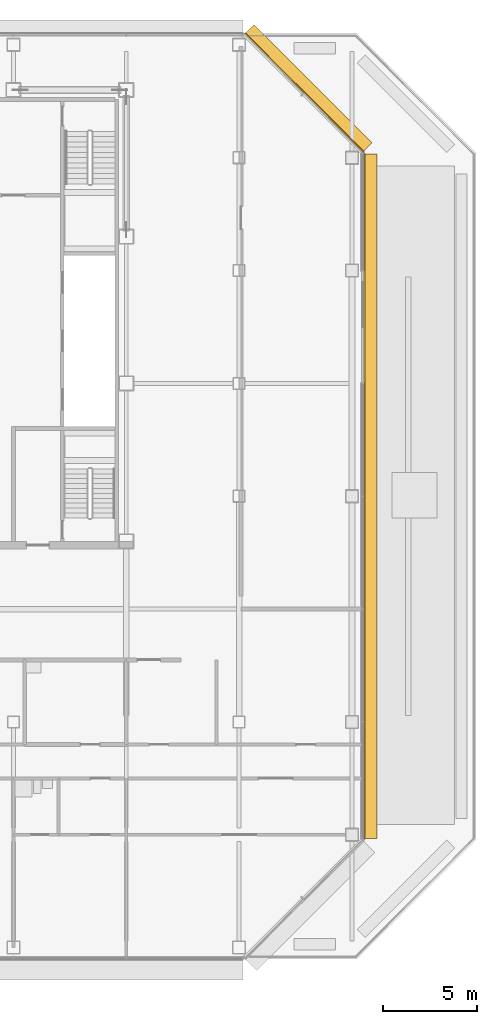
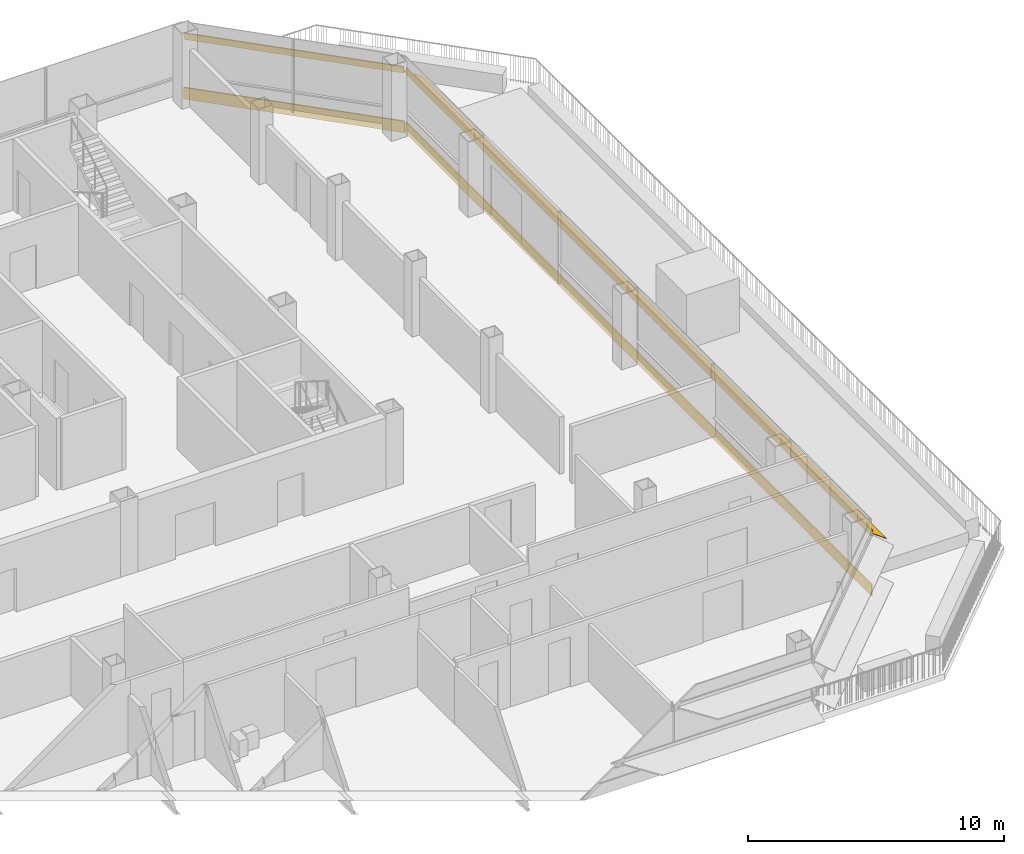
# One storey, part 25 of 27: 2 coverings, 2 shading devices.
"""IFC4 building model written with IfcOpenShell, lengths in metres."""

from ifc_helpers import new_model, si_unit, direction, frame, origin, place, context, subcontext, project, spatial, polyline, outline, extrude, material, layer, layer_set, type_object, element, save


model = new_model("IFC4")

# Units and contexts
model_context = context("Model", 3, precision=1e-05, world=origin(), true_north=direction((0.0, 1.0)))
body_context = subcontext(model_context, "Body", "Model", "MODEL_VIEW")
ifc_project = project(units=[si_unit("LENGTHUNIT", "METRE"), si_unit("AREAUNIT", "SQUARE_METRE"), si_unit("VOLUMEUNIT", "CUBIC_METRE"), si_unit("PLANEANGLEUNIT", "RADIAN"), si_unit("MASSUNIT", "GRAM", prefix="KILO")], contexts=[model_context])

# Site, building, storey
site_placement = place(None, origin())
site = spatial("IfcSite", under=ifc_project, at=site_placement, CompositionType="ELEMENT")
building_placement = place(site_placement, origin())
building = spatial("IfcBuilding", under=site, at=building_placement, Name="Sorahane Residences", CompositionType="ELEMENT")
storey_placement = place(building_placement, frame((0.0, 0.0, 192.0)))
storey = spatial("IfcBuildingStorey", under=building, at=storey_placement, Name="L44", CompositionType="ELEMENT", Elevation=192.0)

# Shading devices
ifc_material_1 = material(Name="Terracotta anodised aluminium", Category="masonry")
shading_device_type_1 = type_object("IfcShadingDeviceType", Name="Louvre sunshade blade E terracotta aluminium 700", PredefinedType="JALOUSIE", material=ifc_material_1)
shading_device_1_placement = place(storey_placement, frame((54.60009765625, 5.801513671875, 2.699951171875), z_axis=(0.0, 1.0, 0.0), x_axis=(-1.0, 0.0, 0.0)))
element("IfcShadingDevice", 1, at=shading_device_1_placement, inside=storey, type_object=shading_device_type_1, Name="Louvre sunshade blade bank E L44 E1", PredefinedType="JALOUSIE", context=body_context, shape_type="SweptSolid", body=[
    extrude(outline(polyline([(-0.719970703125, -0.49365234375), (-0.719970703125, -0.523681640625), (-0.080078125, -0.05859375), (-0.080078125, -0.14990234375), (-0.02001953125, -0.14990234375), (-0.02001953125, -0.014892578125), (-0.02001953125, 0.014892578125), (-0.02001953125, 0.14990234375), (-0.080078125, 0.14990234375), (-0.080078125, -0.028564453125), (-0.719970703125, -0.49365234375)])), origin(), (0.0, 0.0, 1.0), 36.39697265625),
])
ifc_material_2 = material(Name="Terracotta anodised aluminium", Category="masonry")
shading_device_type_2 = type_object("IfcShadingDeviceType", Name="Louvre sunshade blade NE terracotta aluminium 700", PredefinedType="JALOUSIE", material=ifc_material_2)
shading_device_2_placement = place(storey_placement, frame((54.564697265625, 42.283935546875, 2.699951171875), z_axis=(-0.707106781187, 0.707106781187, 0.0), x_axis=(-0.707106781187, -0.707106781187, 0.0)))
element("IfcShadingDevice", 2, at=shading_device_2_placement, inside=storey, type_object=shading_device_type_2, Name="Louvre sunshade blade bank NE L44 NE1", PredefinedType="JALOUSIE", context=body_context, shape_type="SweptSolid", body=[
    extrude(outline(polyline([(-0.719970703125, -0.572509765625), (-0.719970703125, -0.602294921875), (-0.080078125, -0.065185546875), (-0.080078125, -0.14990234375), (-0.02001953125, -0.14990234375), (-0.02001953125, -0.014892578125), (-0.02001953125, 0.014892578125), (-0.02001953125, 0.14990234375), (-0.080078125, 0.14990234375), (-0.080078125, -0.035400390625), (-0.719970703125, -0.572509765625)])), origin(), (0.0, 0.0, 1.0), 8.88232421875),
])

# Coverings
ifc_material_3 = material(Name="Pale precast concrete cladding", Category="concrete")
ifc_layer = layer(ifc_material_3, 0.06005859375)
ifc_layer_set = layer_set([ifc_layer], Name="Slab edge fascia band pale precast concrete 550")
covering_type = type_object("IfcCoveringType", Name="Slab edge fascia band pale precast concrete 550", PredefinedType="CLADDING", material=ifc_layer_set)
covering_1_placement = place(storey_placement, frame((54.60009765625, 5.771484375, -0.02490234375), z_axis=(0.0, 1.0, 0.0), x_axis=(-1.0, 0.0, 0.0)))
element("IfcCovering", 3, at=covering_1_placement, inside=storey, type_object=covering_type, Name="Slab edge fascia pale L44 E1", PredefinedType="CLADDING", context=body_context, shape_type="SweptSolid", body=[
    extrude(outline(polyline([(-0.02001953125, 0.27490234375), (-0.080078125, 0.27490234375), (-0.080078125, -0.27490234375), (-0.02001953125, -0.27490234375), (-0.02001953125, 0.27490234375)])), origin(), (0.0, 0.0, 1.0), 36.45703125),
])
covering_2_placement = place(storey_placement, frame((54.5859375, 42.2626953125, -0.02490234375), z_axis=(-0.707106781187, 0.707106781187, 0.0), x_axis=(-0.707106781187, -0.707106781187, 0.0)))
element("IfcCovering", 4, at=covering_2_placement, inside=storey, type_object=covering_type, Name="Slab edge fascia pale L44 NE1", PredefinedType="CLADDING", context=body_context, shape_type="SweptSolid", body=[
    extrude(outline(polyline([(-0.02001953125, 0.27490234375), (-0.080078125, 0.27490234375), (-0.080078125, -0.27490234375), (-0.02001953125, -0.27490234375), (-0.02001953125, 0.27490234375)])), origin(), (0.0, 0.0, 1.0), 8.9423828125),
])

save(model, "model.ifc")
